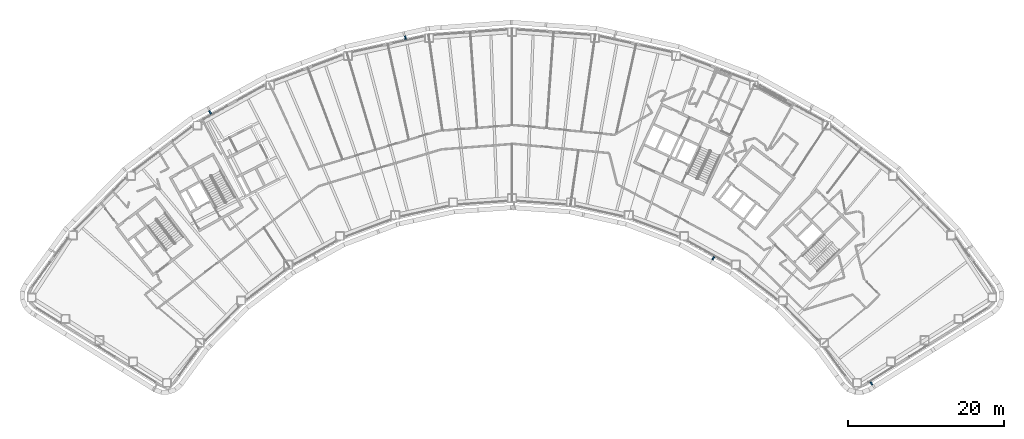
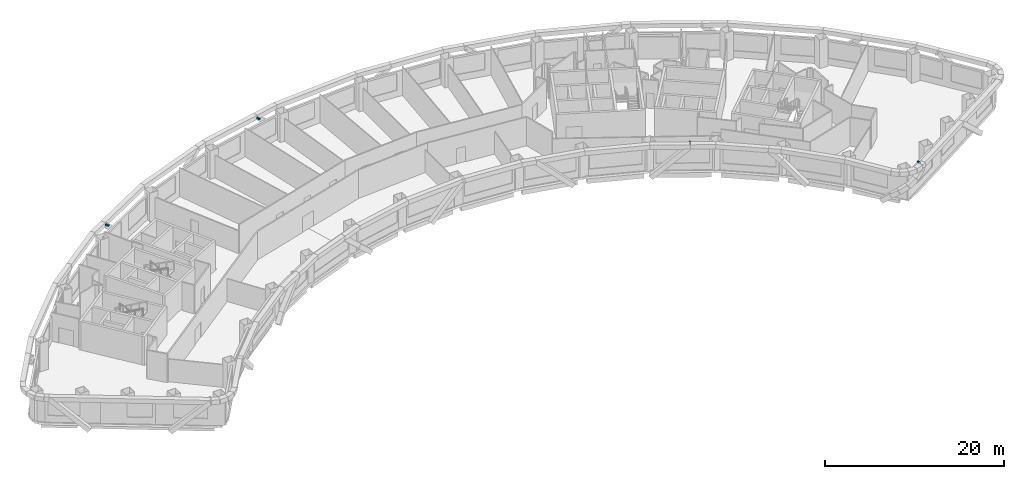
# One storey, part 11 of 16: 4 discrete accessories.
"""IFC4 building model written with IfcOpenShell, lengths in metres."""

from ifc_helpers import new_model, si_unit, direction, frame, origin, origin_2d, place, context, subcontext, project, spatial, rectangle, extrude, material, type_object, element, save


model = new_model("IFC4")

# Units and contexts
model_context = context("Model", 3, precision=1e-05, world=origin(), true_north=direction((0.0, 1.0)))
body_context = subcontext(model_context, "Body", "Model", "MODEL_VIEW")
ifc_project = project(units=[si_unit("LENGTHUNIT", "METRE"), si_unit("AREAUNIT", "SQUARE_METRE"), si_unit("VOLUMEUNIT", "CUBIC_METRE"), si_unit("PLANEANGLEUNIT", "RADIAN"), si_unit("MASSUNIT", "GRAM", prefix="KILO")], contexts=[model_context])

# Site, building, storey
site_placement = place(None, origin())
site = spatial("IfcSite", under=ifc_project, at=site_placement, CompositionType="ELEMENT")
building_placement = place(site_placement, origin())
building = spatial("IfcBuilding", under=site, at=building_placement, Name="Tuul Gate Civic Tower", CompositionType="ELEMENT")
storey_placement = place(building_placement, frame((0.0, 0.0, 124.5)))
storey = spatial("IfcBuildingStorey", under=building, at=storey_placement, Name="Level 28", CompositionType="ELEMENT", Elevation=124.5)

# Discrete accessories
ifc_material = material(Name="Stainless steel", Category="steel")
discrete_accessory_type = type_object("IfcDiscreteAccessoryType", Name="Screen bracket", PredefinedType="BRACKET", material=ifc_material)
discrete_accessory_1_placement = place(storey_placement, frame((-3.853515625, 12.9375, 3.75), z_axis=(0.0, 0.0, 1.0), x_axis=(-0.183877581625, 0.982949151775, 0.0)))
element("IfcDiscreteAccessory", 1, at=discrete_accessory_1_placement, inside=storey, type_object=discrete_accessory_type, Name="Screen bracket 11", PredefinedType="BRACKET", context=body_context, shape_type="SweptSolid", body=[
    extrude(rectangle(XDim=0.4501953125, YDim=0.199951171875, at=origin_2d()), origin(), (0.0, 0.0, 1.0), 0.199951171875),
])
discrete_accessory_2_placement = place(storey_placement, frame((-28.938232421875, 3.34228515625, 3.75), z_axis=(0.0, 0.0, 1.0), x_axis=(-0.520757845287, 0.853704437479, 0.0)))
element("IfcDiscreteAccessory", 2, at=discrete_accessory_2_placement, inside=storey, type_object=discrete_accessory_type, Name="Screen bracket 14", PredefinedType="BRACKET", context=body_context, shape_type="SweptSolid", body=[
    extrude(rectangle(XDim=0.450439453125, YDim=0.199951171875, at=origin_2d()), origin(), (0.0, 0.0, 1.0), 0.199951171875),
])
discrete_accessory_3_placement = place(storey_placement, frame((35.6650390625, -15.38671875, 3.75), z_axis=(0.0, 0.0, 1.0), x_axis=(-0.499380157255, -0.866382974521, 0.0)))
element("IfcDiscreteAccessory", 3, at=discrete_accessory_3_placement, inside=storey, type_object=discrete_accessory_type, Name="Screen bracket 29", PredefinedType="BRACKET", context=body_context, shape_type="SweptSolid", body=[
    extrude(rectangle(XDim=0.4501953125, YDim=0.199951171875, at=origin_2d()), origin(), (0.0, 0.0, 1.0), 0.199951171875),
])
discrete_accessory_4_placement = place(storey_placement, frame((55.974609375, -31.465087890625, 3.75), z_axis=(0.0, 0.0, 1.0), x_axis=(0.453634345645, -0.891187904121, 0.0)))
element("IfcDiscreteAccessory", 4, at=discrete_accessory_4_placement, inside=storey, type_object=discrete_accessory_type, Name="Screen bracket 32", PredefinedType="BRACKET", context=body_context, shape_type="SweptSolid", body=[
    extrude(rectangle(XDim=0.45166015625, YDim=0.199951171875, at=origin_2d()), origin(), (0.0, 0.0, 1.0), 0.199951171875),
])

save(model, "model.ifc")
